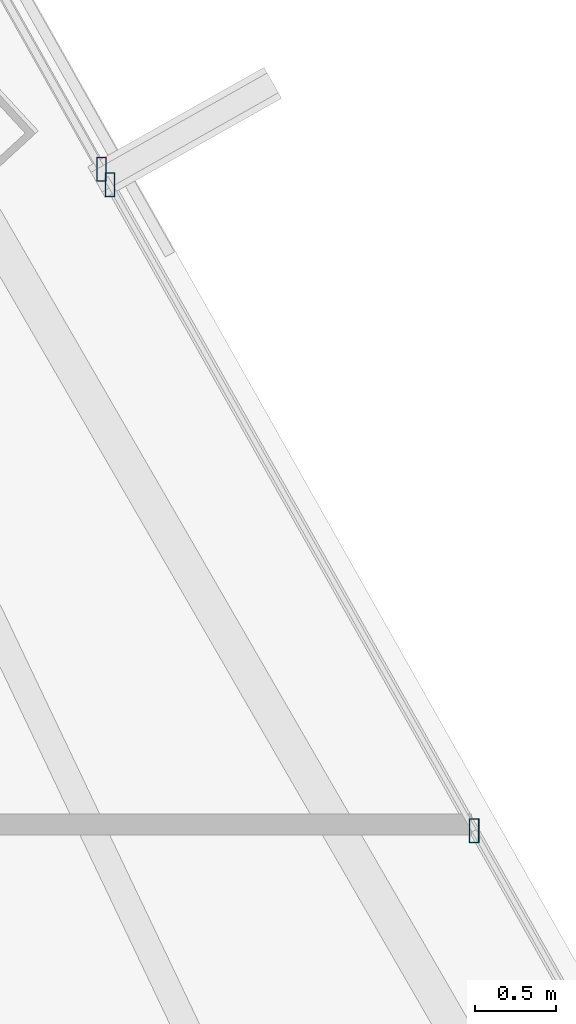
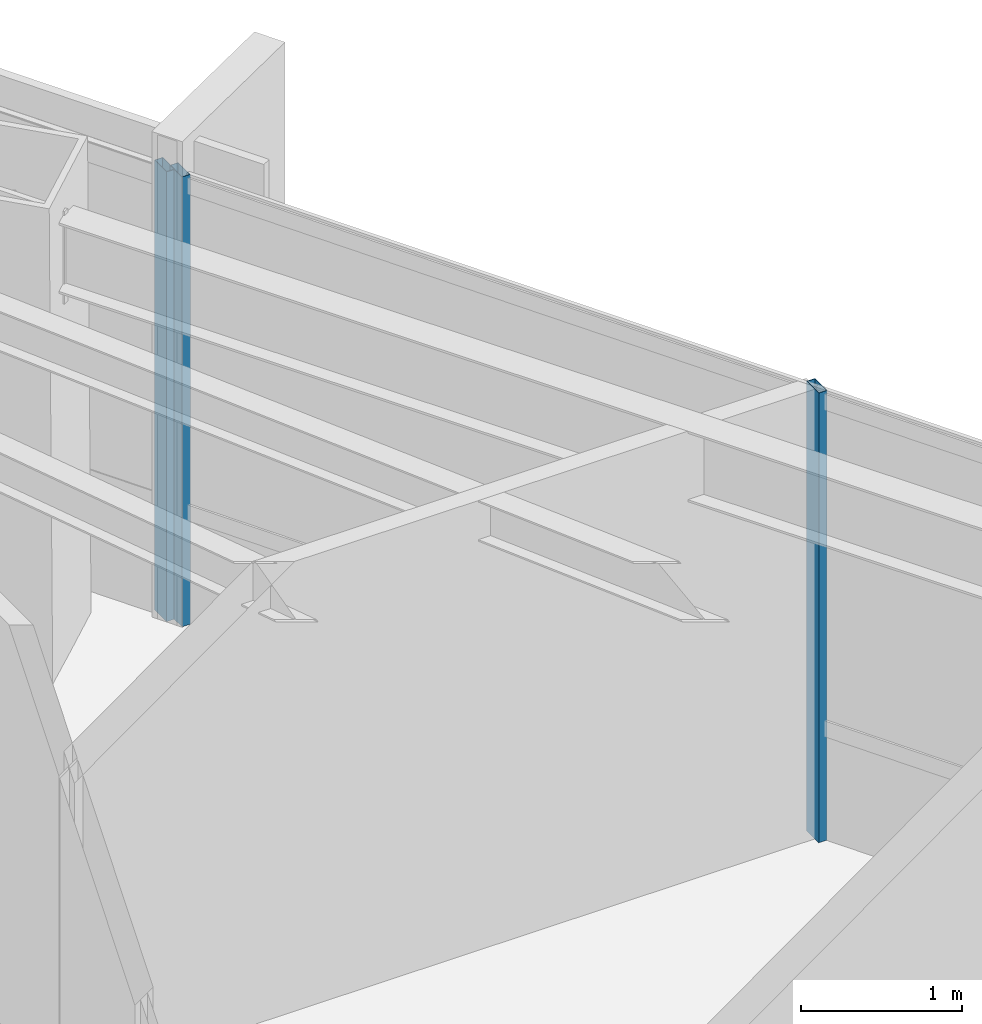
# One storey, part 24 of 42: 3 members, 2 elements without a shape of their own.
"""IFC4 building model written with IfcOpenShell, lengths in metres."""

from ifc_helpers import new_model, si_unit, direction, frame, origin, origin_2d, place, context, subcontext, project, spatial, hollow_rectangle, extrude, source, transform, mapped, material, material_profile, profile_set, type_object, type_shapes, element, aggregate, save


model = new_model("IFC4")

# Units and contexts
model_context = context("Model", 3, precision=1e-05, world=origin(), true_north=direction((0.0, 1.0)))
body_context = subcontext(model_context, "Body", "Model", "MODEL_VIEW")
ifc_project = project(units=[si_unit("LENGTHUNIT", "METRE"), si_unit("AREAUNIT", "SQUARE_METRE"), si_unit("VOLUMEUNIT", "CUBIC_METRE"), si_unit("PLANEANGLEUNIT", "RADIAN"), si_unit("MASSUNIT", "GRAM", prefix="KILO")], contexts=[model_context])

# Site, building, storey
site_placement = place(None, origin())
site = spatial("IfcSite", under=ifc_project, at=site_placement, CompositionType="ELEMENT")
building_placement = place(site_placement, origin())
building = spatial("IfcBuilding", under=site, at=building_placement, Name="Caelisora Broadcast Tower", CompositionType="ELEMENT")
storey_placement = place(building_placement, frame((0.0, 0.0, 195.0)))
storey = spatial("IfcBuildingStorey", under=building, at=storey_placement, Name="L51", CompositionType="ELEMENT", Elevation=195.0)

# Curtain wall, member
ifc_material_1 = material(Name="Unitised Aluminium Insulated Shadow-Box Spandrel Curtain Wall", Category="aluminium")
curtain_wall_type_1 = type_object("IfcCurtainWallType", Name="CW-SP2", PredefinedType="NOTDEFINED", material=ifc_material_1)
curtain_wall_1_placement = place(storey_placement, origin())
curtain_wall_1 = element("IfcCurtainWall", 1, at=curtain_wall_1_placement, inside=storey, type_object=curtain_wall_type_1, Name="L51 curtain wall CW-SP2", PredefinedType="NOTDEFINED")
ifc_material_2 = material(Name="Aluminium 6063-T6 Anodised Terracotta Bronze", Category="aluminium")
ifc_material_profile = material_profile(ifc_material_2, hollow_rectangle(XDim=0.06005859375, YDim=0.14990234375, WallThickness=0.00341796875, at=origin_2d()), Name="Aluminium 6063-T6 Anodised Terracotta Bronze")
ifc_profile_set = profile_set([ifc_material_profile], Name="Aluminium 6063-T6 Anodised Terracotta Bronze")
member_type = type_object("IfcMemberType", Name="CWM-03", PredefinedType="MULLION", material=ifc_profile_set)
shared_shape = source(origin(), body_context, "Body", "SweptSolid", [
    extrude(hollow_rectangle(XDim=0.06005859375, YDim=0.14990234375, WallThickness=0.00341796875, at=origin_2d()), origin(), (0.0, 0.0, 1.0), 3.39990234375),
])
type_shapes(member_type, [shared_shape])
member_1_placement = place(storey_placement, frame((55.525634765625, 26.807861328125, 0.0), z_axis=(0.0, 0.0, 1.0), x_axis=(1.0, 0.0, 0.0)))
member_1 = element("IfcMember", 2, at=member_1_placement, type_object=member_type, Name="L51-CW-B02 mullion #3", PredefinedType="MULLION", context=body_context, shape_type="MappedRepresentation", body=[
    mapped(shared_shape, transform((0.0, 0.0, 0.0), scale=1.0)),
])
aggregate(curtain_wall_1, [member_1])

# Curtain wall, members
ifc_material_3 = material(Name="Unitised Aluminium and Low-E Glass Curtain Wall", Category="glass")
curtain_wall_type_2 = type_object("IfcCurtainWallType", Name="CW-Z4", PredefinedType="NOTDEFINED", material=ifc_material_3)
curtain_wall_2_placement = place(storey_placement, origin())
curtain_wall_2 = element("IfcCurtainWall", 3, at=curtain_wall_2_placement, inside=storey, type_object=curtain_wall_type_2, Name="L51 curtain wall CW-Z4", PredefinedType="NOTDEFINED")
member_2_placement = place(storey_placement, frame((55.57958984375, 26.7119140625, 0.0), z_axis=(0.0, 0.0, 1.0), x_axis=(1.0, 0.0, 0.0)))
member_2 = element("IfcMember", 4, at=member_2_placement, type_object=member_type, Name="L51-CW-B03 mullion #0", PredefinedType="MULLION", context=body_context, shape_type="MappedRepresentation", body=[
    mapped(shared_shape, transform((0.0, 0.0, 0.0), scale=1.0)),
])
member_3_placement = place(storey_placement, frame((57.8291015625, 22.720947265625, 0.0), z_axis=(0.0, 0.0, 1.0), x_axis=(1.0, 0.0, 0.0)))
member_3 = element("IfcMember", 5, at=member_3_placement, type_object=member_type, Name="L51-CW-B03 mullion #1", PredefinedType="MULLION", context=body_context, shape_type="MappedRepresentation", body=[
    mapped(shared_shape, transform((0.0, 0.0, 0.0), scale=1.0)),
])
aggregate(curtain_wall_2, [member_2, member_3])

save(model, "model.ifc")
